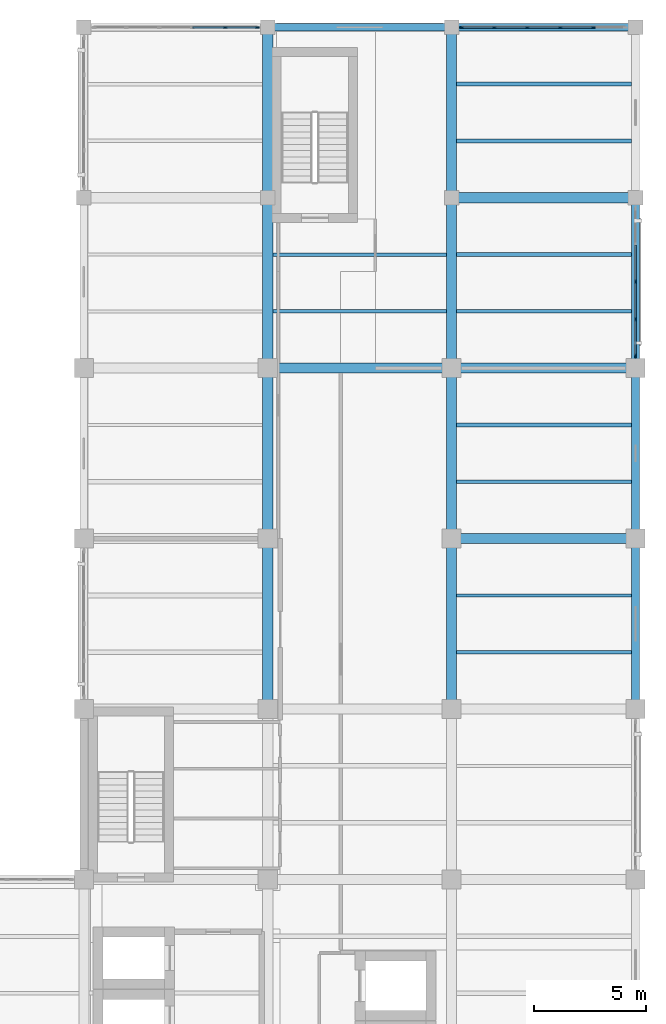
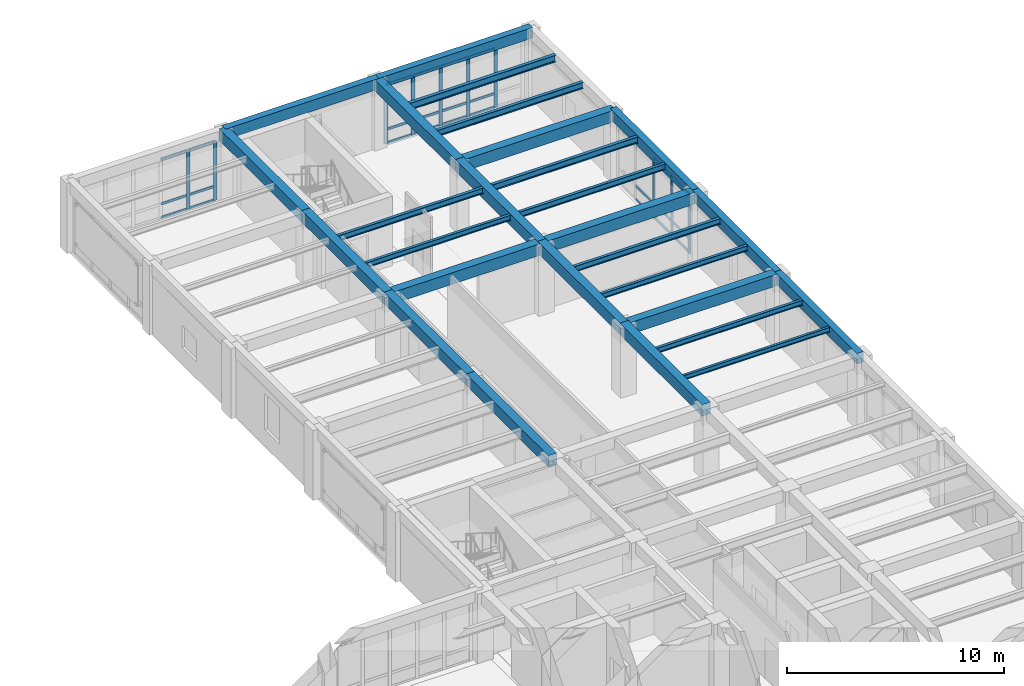
# One storey, part 5 of 17: 36 members, 27 beams, 3 elements without a shape of their own.
"""IFC4 building model written with IfcOpenShell, lengths in metres."""

from ifc_helpers import new_model, si_unit, direction, frame, origin, origin_2d, place, context, subcontext, project, spatial, rectangle, i_section, extrude, material, material_profile, profile_set, type_object, element, aggregate, save


model = new_model("IFC4")

# Units and contexts
model_context = context("Model", 3, precision=1e-05, world=origin(), true_north=direction((0.0, 1.0)))
body_context = subcontext(model_context, "Body", "Model", "MODEL_VIEW")
ifc_project = project(units=[si_unit("LENGTHUNIT", "METRE"), si_unit("AREAUNIT", "SQUARE_METRE"), si_unit("VOLUMEUNIT", "CUBIC_METRE"), si_unit("PLANEANGLEUNIT", "RADIAN"), si_unit("MASSUNIT", "GRAM", prefix="KILO")], contexts=[model_context])

# Site, building, storey
site_placement = place(None, origin())
site = spatial("IfcSite", under=ifc_project, at=site_placement, CompositionType="ELEMENT")
building_placement = place(site_placement, origin())
building = spatial("IfcBuilding", under=site, at=building_placement, Name="Qandaris Square Conservatory and Botanical Centre", CompositionType="ELEMENT")
storey_placement = place(building_placement, frame((0.0, 0.0, 28.199951171875)))
storey = spatial("IfcBuildingStorey", under=building, at=storey_placement, Name="L06", CompositionType="ELEMENT", Elevation=28.199951171875)

# Beams
ifc_material_1 = material(Name="Steel S355", Category="steel")
ifc_material_profile_1 = material_profile(ifc_material_1, i_section(OverallWidth=0.14990234375, OverallDepth=0.300048828125, WebThickness=0.007080078125, FlangeThickness=0.0107421875, FilletRadius=0.014892578125, at=origin_2d()), Name="IPE 300")
ifc_profile_set_1 = profile_set([ifc_material_profile_1], Name="Steel S355")
beam_type_1 = type_object("IfcBeamType", Name="Composite Lab Joist IPE 300", PredefinedType="JOIST", material=ifc_profile_set_1)
beam_1_placement = place(storey_placement, frame((147.625, 64.7333984375, 3.780029296875), z_axis=(1.0, 0.0, 0.0), x_axis=(0.0, 1.0, 0.0)))
element("IfcBeam", 1, at=beam_1_placement, inside=storey, type_object=beam_type_1, Name="L06 Composite Joist 2068", PredefinedType="JOIST", context=body_context, shape_type="SweptSolid", body=[
    extrude(i_section(OverallWidth=0.14990234375, OverallDepth=0.300048828125, WebThickness=0.007080078125, FlangeThickness=0.0107421875, FilletRadius=0.014892578125, at=origin_2d()), origin(), (0.0, 0.0, 1.0), 7.75),
])
for number, where, z_axis, x_axis, name in (
    (2, (155.824951171875, 52.066650390625, 3.780029296875), (1.0, 0.0, 0.0), (0.0, 1.0, 0.0), "L06 Composite Joist 2079"),
    (3, (155.824951171875, 57.13330078125, 3.780029296875), (1.0, 0.0, 0.0), (0.0, 1.0, 0.0), "L06 Composite Joist 2080"),
):
    element("IfcBeam", number, at=place(storey_placement, frame(where, z_axis=z_axis, x_axis=x_axis)), inside=storey, type_object=beam_type_1, Name=name, PredefinedType="JOIST", context=body_context, shape_type="SweptSolid", body=[
        extrude(i_section(OverallWidth=0.14990234375, OverallDepth=0.300048828125, WebThickness=0.007080078125, FlangeThickness=0.0107421875, FilletRadius=0.014892578125, at=origin_2d()), origin(), (0.0, 0.0, 1.0), 7.800048828125),
    ])
ifc_material_profile_2 = material_profile(ifc_material_1, i_section(OverallWidth=0.159912109375, OverallDepth=0.330078125, WebThickness=0.007568359375, FlangeThickness=0.011474609375, FilletRadius=0.01806640625, at=origin_2d()), Name="IPE 330")
ifc_profile_set_2 = profile_set([ifc_material_profile_2], Name="Steel S355")
beam_type_2 = type_object("IfcBeamType", Name="Composite Lab Joist IPE 330", PredefinedType="JOIST", material=ifc_profile_set_2)
beam_2_placement = place(storey_placement, frame((147.625, 67.2666015625, 3.76513671875), z_axis=(1.0, 0.0, 0.0), x_axis=(0.0, 1.0, 0.0)))
element("IfcBeam", 4, at=beam_2_placement, inside=storey, type_object=beam_type_2, Name="L06 Composite Joist 2069", PredefinedType="JOIST", context=body_context, shape_type="SweptSolid", body=[
    extrude(i_section(OverallWidth=0.159912109375, OverallDepth=0.330078125, WebThickness=0.007568359375, FlangeThickness=0.011474609375, FilletRadius=0.01806640625, at=origin_2d()), origin(), (0.0, 0.0, 1.0), 7.75),
])
for number, where, z_axis, x_axis, name in (
    (5, (155.824951171875, 59.666748046875, 3.76513671875), (1.0, 0.0, 0.0), (0.0, 1.0, 0.0), "L06 Composite Joist 2081"),
    (6, (155.824951171875, 64.7333984375, 3.76513671875), (1.0, 0.0, 0.0), (0.0, 1.0, 0.0), "L06 Composite Joist 2082"),
):
    element("IfcBeam", number, at=place(storey_placement, frame(where, z_axis=z_axis, x_axis=x_axis)), inside=storey, type_object=beam_type_2, Name=name, PredefinedType="JOIST", context=body_context, shape_type="SweptSolid", body=[
        extrude(i_section(OverallWidth=0.159912109375, OverallDepth=0.330078125, WebThickness=0.007568359375, FlangeThickness=0.011474609375, FilletRadius=0.01806640625, at=origin_2d()), origin(), (0.0, 0.0, 1.0), 7.800048828125),
    ])
ifc_material_profile_3 = material_profile(ifc_material_1, i_section(OverallWidth=0.169921875, OverallDepth=0.360107421875, WebThickness=0.008056640625, FlangeThickness=0.0126953125, FilletRadius=0.01806640625, at=origin_2d()), Name="IPE 360")
ifc_profile_set_3 = profile_set([ifc_material_profile_3], Name="Steel S355")
beam_type_3 = type_object("IfcBeamType", Name="Composite Lab Joist IPE 360", PredefinedType="JOIST", material=ifc_profile_set_3)
for number, where, z_axis, x_axis, name in (
    (7, (155.824951171875, 67.2666015625, 3.75), (1.0, 0.0, 0.0), (0.0, 1.0, 0.0), "L06 Composite Joist 2083"),
    (8, (155.824951171875, 72.333251953125, 3.75), (1.0, 0.0, 0.0), (0.0, 1.0, 0.0), "L06 Composite Joist 2084"),
):
    element("IfcBeam", number, at=place(storey_placement, frame(where, z_axis=z_axis, x_axis=x_axis)), inside=storey, type_object=beam_type_3, Name=name, PredefinedType="JOIST", context=body_context, shape_type="SweptSolid", body=[
        extrude(i_section(OverallWidth=0.169921875, OverallDepth=0.360107421875, WebThickness=0.008056640625, FlangeThickness=0.0126953125, FilletRadius=0.01806640625, at=origin_2d()), origin(), (0.0, 0.0, 1.0), 7.800048828125),
    ])
ifc_material_profile_4 = material_profile(ifc_material_1, i_section(OverallWidth=0.179931640625, OverallDepth=0.39990234375, WebThickness=0.008544921875, FlangeThickness=0.013427734375, FilletRadius=0.02099609375, at=origin_2d()), Name="IPE 400")
ifc_profile_set_4 = profile_set([ifc_material_profile_4], Name="Steel S355")
beam_type_4 = type_object("IfcBeamType", Name="Composite Plinth Joist IPE 400", PredefinedType="JOIST", material=ifc_profile_set_4)
beam_3_placement = place(storey_placement, frame((155.824951171875, 74.86669921875, 3.72998046875), z_axis=(1.0, 0.0, 0.0), x_axis=(0.0, 1.0, 0.0)))
element("IfcBeam", 9, at=beam_3_placement, inside=storey, type_object=beam_type_4, Name="L06 Composite Joist 2085", PredefinedType="JOIST", context=body_context, shape_type="SweptSolid", body=[
    extrude(i_section(OverallWidth=0.179931640625, OverallDepth=0.39990234375, WebThickness=0.008544921875, FlangeThickness=0.013427734375, FilletRadius=0.02099609375, at=origin_2d()), origin(), (0.0, 0.0, 1.0), 7.800048828125),
])

# Curtain wall, members
ifc_material_2 = material(Name="Anodised Aluminium", Category="aluminium")
curtain_wall_type_1 = type_object("IfcCurtainWallType", Name="Unitised Curtain Wall CW-4-665x334", PredefinedType="USERDEFINED", material=ifc_material_2)
curtain_wall_1_placement = place(storey_placement, origin())
curtain_wall_1 = element("IfcCurtainWall", 10, at=curtain_wall_1_placement, inside=storey, type_object=curtain_wall_type_1, Name="Curtain Wall CW-TWR-L06-2-7", ObjectType="GLAZED CURTAIN WALL", PredefinedType="USERDEFINED")
ifc_material_profile_5 = material_profile(ifc_material_2, rectangle(XDim=0.06494140625, YDim=0.179931640625, at=origin_2d()), Name="ALU-MUL 65x180")
ifc_profile_set_5 = profile_set([ifc_material_profile_5], Name="Anodised Aluminium")
member_type_1 = type_object("IfcMemberType", Name="Curtain Wall Mullion 65x180", PredefinedType="MULLION", material=ifc_profile_set_5)
member_1_placement = place(storey_placement, frame((163.800048828125, 62.757568359375, 0.0), z_axis=(0.0, 0.0, 1.0), x_axis=(-1.0, 0.0, 0.0)))
member_1 = element("IfcMember", 11, at=member_1_placement, type_object=member_type_1, Name="CW-4-665x334 mullion 1", PredefinedType="MULLION", context=body_context, shape_type="SweptSolid", body=[
    extrude(rectangle(XDim=0.06494140625, YDim=0.179931640625, at=origin_2d()), origin(), (0.0, 0.0, 1.0), 3.340087890625),
])
member_2_placement = place(storey_placement, frame((163.800048828125, 64.387451171875, 0.0), z_axis=(0.0, 0.0, 1.0), x_axis=(-1.0, 0.0, 0.0)))
member_2 = element("IfcMember", 12, at=member_2_placement, type_object=member_type_1, Name="CW-4-665x334 mullion 2", PredefinedType="MULLION", context=body_context, shape_type="SweptSolid", body=[
    extrude(rectangle(XDim=0.06494140625, YDim=0.179931640625, at=origin_2d()), origin(), (0.0, 0.0, 1.0), 3.340087890625),
])
member_3_placement = place(storey_placement, frame((163.800048828125, 66.050048828125, 0.0), z_axis=(0.0, 0.0, 1.0), x_axis=(-1.0, 0.0, 0.0)))
member_3 = element("IfcMember", 13, at=member_3_placement, type_object=member_type_1, Name="CW-4-665x334 mullion 3", PredefinedType="MULLION", context=body_context, shape_type="SweptSolid", body=[
    extrude(rectangle(XDim=0.06494140625, YDim=0.179931640625, at=origin_2d()), origin(), (0.0, 0.0, 1.0), 3.340087890625),
])

curtain_wall_type_2 = type_object("IfcCurtainWallType", Name="Unitised Curtain Wall CW-3-735x334", PredefinedType="USERDEFINED", material=ifc_material_2)
curtain_wall_2_placement = place(storey_placement, origin())
curtain_wall_2 = element("IfcCurtainWall", 14, at=curtain_wall_2_placement, inside=storey, type_object=curtain_wall_type_2, Name="Curtain Wall CW-TWR-L06-3-1", ObjectType="GLAZED CURTAIN WALL", PredefinedType="USERDEFINED")
member_4_placement = place(storey_placement, frame((161.905029296875, 77.39990234375, 0.0), z_axis=(0.0, 0.0, 1.0), x_axis=(0.0, -1.0, 0.0)))
member_4 = element("IfcMember", 15, at=member_4_placement, type_object=member_type_1, Name="CW-3-735x334 mullion 2", PredefinedType="MULLION", context=body_context, shape_type="SweptSolid", body=[
    extrude(rectangle(XDim=0.06494140625, YDim=0.179931640625, at=origin_2d()), origin(), (0.0, 0.0, 1.0), 3.340087890625),
])
member_5_placement = place(storey_placement, frame((160.43505859375, 77.39990234375, 0.0), z_axis=(0.0, 0.0, 1.0), x_axis=(0.0, -1.0, 0.0)))
member_5 = element("IfcMember", 16, at=member_5_placement, type_object=member_type_1, Name="CW-3-735x334 mullion 3", PredefinedType="MULLION", context=body_context, shape_type="SweptSolid", body=[
    extrude(rectangle(XDim=0.06494140625, YDim=0.179931640625, at=origin_2d()), origin(), (0.0, 0.0, 1.0), 3.340087890625),
])
member_6_placement = place(storey_placement, frame((158.965087890625, 77.39990234375, 0.0), z_axis=(0.0, 0.0, 1.0), x_axis=(0.0, -1.0, 0.0)))
member_6 = element("IfcMember", 17, at=member_6_placement, type_object=member_type_1, Name="CW-3-735x334 mullion 4", PredefinedType="MULLION", context=body_context, shape_type="SweptSolid", body=[
    extrude(rectangle(XDim=0.06494140625, YDim=0.179931640625, at=origin_2d()), origin(), (0.0, 0.0, 1.0), 3.340087890625),
])
member_7_placement = place(storey_placement, frame((157.4951171875, 77.39990234375, 0.0), z_axis=(0.0, 0.0, 1.0), x_axis=(0.0, -1.0, 0.0)))
member_7 = element("IfcMember", 18, at=member_7_placement, type_object=member_type_1, Name="CW-3-735x334 mullion 5", PredefinedType="MULLION", context=body_context, shape_type="SweptSolid", body=[
    extrude(rectangle(XDim=0.06494140625, YDim=0.179931640625, at=origin_2d()), origin(), (0.0, 0.0, 1.0), 3.340087890625),
])
member_8_placement = place(storey_placement, frame((156.0576171875, 77.39990234375, 0.0), z_axis=(0.0, 0.0, 1.0), x_axis=(0.0, -1.0, 0.0)))
member_8 = element("IfcMember", 19, at=member_8_placement, type_object=member_type_1, Name="CW-3-735x334 mullion 6", PredefinedType="MULLION", context=body_context, shape_type="SweptSolid", body=[
    extrude(rectangle(XDim=0.06494140625, YDim=0.179931640625, at=origin_2d()), origin(), (0.0, 0.0, 1.0), 3.340087890625),
])

curtain_wall_3_placement = place(storey_placement, origin())
curtain_wall_3 = element("IfcCurtainWall", 20, at=curtain_wall_3_placement, inside=storey, type_object=curtain_wall_type_2, Name="Curtain Wall CW-TWR-L06-3-3", ObjectType="GLAZED CURTAIN WALL", PredefinedType="USERDEFINED")
member_9_placement = place(storey_placement, frame((146.9423828125, 77.39990234375, 0.0), z_axis=(0.0, 0.0, 1.0), x_axis=(0.0, -1.0, 0.0)))
member_9 = element("IfcMember", 21, at=member_9_placement, type_object=member_type_1, Name="CW-3-735x334 mullion 1", PredefinedType="MULLION", context=body_context, shape_type="SweptSolid", body=[
    extrude(rectangle(XDim=0.06494140625, YDim=0.179931640625, at=origin_2d()), origin(), (0.0, 0.0, 1.0), 3.340087890625),
])
member_10_placement = place(storey_placement, frame((145.5048828125, 77.39990234375, 0.0), z_axis=(0.0, 0.0, 1.0), x_axis=(0.0, -1.0, 0.0)))
member_10 = element("IfcMember", 22, at=member_10_placement, type_object=member_type_1, Name="CW-3-735x334 mullion 2", PredefinedType="MULLION", context=body_context, shape_type="SweptSolid", body=[
    extrude(rectangle(XDim=0.06494140625, YDim=0.179931640625, at=origin_2d()), origin(), (0.0, 0.0, 1.0), 3.340087890625),
])

# Member
ifc_material_profile_6 = material_profile(ifc_material_2, rectangle(XDim=0.06494140625, YDim=0.139892578125, at=origin_2d()), Name="ALU-TRN 65x140")
ifc_profile_set_6 = profile_set([ifc_material_profile_6], Name="Anodised Aluminium")
member_type_2 = type_object("IfcMemberType", Name="Curtain Wall Transom 65x140", PredefinedType="USERDEFINED", material=ifc_profile_set_6)
member_11_placement = place(storey_placement, frame((163.800048828125, 62.7900390625, 0.032470703125), z_axis=(0.0, 1.0, 0.0), x_axis=(-1.0, 0.0, 0.0)))
member_11 = element("IfcMember", 23, at=member_11_placement, type_object=member_type_2, Name="CW-4-665x334 transom 1.1", ObjectType="TRANSOM", PredefinedType="USERDEFINED", context=body_context, shape_type="SweptSolid", body=[
    extrude(rectangle(XDim=0.06494140625, YDim=0.139892578125, at=origin_2d()), origin(), (0.0, 0.0, 1.0), 1.56494140625),
])

member_12_placement = place(storey_placement, frame((163.800048828125, 62.7900390625, 0.8017578125), z_axis=(0.0, 1.0, 0.0), x_axis=(-1.0, 0.0, 0.0)))
member_12 = element("IfcMember", 24, at=member_12_placement, type_object=member_type_2, Name="CW-4-665x334 transom 1.2", ObjectType="TRANSOM", PredefinedType="USERDEFINED", context=body_context, shape_type="SweptSolid", body=[
    extrude(rectangle(XDim=0.06494140625, YDim=0.139892578125, at=origin_2d()), origin(), (0.0, 0.0, 1.0), 1.56494140625),
])

member_13_placement = place(storey_placement, frame((163.800048828125, 62.7900390625, 3.3076171875), z_axis=(0.0, 1.0, 0.0), x_axis=(-1.0, 0.0, 0.0)))
member_13 = element("IfcMember", 25, at=member_13_placement, type_object=member_type_2, Name="CW-4-665x334 transom 1.3", ObjectType="TRANSOM", PredefinedType="USERDEFINED", context=body_context, shape_type="SweptSolid", body=[
    extrude(rectangle(XDim=0.06494140625, YDim=0.139892578125, at=origin_2d()), origin(), (0.0, 0.0, 1.0), 1.56494140625),
])

member_14_placement = place(storey_placement, frame((163.800048828125, 64.419921875, 0.032470703125), z_axis=(0.0, 1.0, 0.0), x_axis=(-1.0, 0.0, 0.0)))
member_14 = element("IfcMember", 26, at=member_14_placement, type_object=member_type_2, Name="CW-4-665x334 transom 2.1", ObjectType="TRANSOM", PredefinedType="USERDEFINED", context=body_context, shape_type="SweptSolid", body=[
    extrude(rectangle(XDim=0.06494140625, YDim=0.139892578125, at=origin_2d()), origin(), (0.0, 0.0, 1.0), 1.59765625),
])

member_15_placement = place(storey_placement, frame((163.800048828125, 64.419921875, 0.8017578125), z_axis=(0.0, 1.0, 0.0), x_axis=(-1.0, 0.0, 0.0)))
member_15 = element("IfcMember", 27, at=member_15_placement, type_object=member_type_2, Name="CW-4-665x334 transom 2.2", ObjectType="TRANSOM", PredefinedType="USERDEFINED", context=body_context, shape_type="SweptSolid", body=[
    extrude(rectangle(XDim=0.06494140625, YDim=0.139892578125, at=origin_2d()), origin(), (0.0, 0.0, 1.0), 1.59765625),
])

member_16_placement = place(storey_placement, frame((163.800048828125, 64.419921875, 3.3076171875), z_axis=(0.0, 1.0, 0.0), x_axis=(-1.0, 0.0, 0.0)))
member_16 = element("IfcMember", 28, at=member_16_placement, type_object=member_type_2, Name="CW-4-665x334 transom 2.3", ObjectType="TRANSOM", PredefinedType="USERDEFINED", context=body_context, shape_type="SweptSolid", body=[
    extrude(rectangle(XDim=0.06494140625, YDim=0.139892578125, at=origin_2d()), origin(), (0.0, 0.0, 1.0), 1.59765625),
])

member_17_placement = place(storey_placement, frame((163.800048828125, 66.08251953125, 0.032470703125), z_axis=(0.0, 1.0, 0.0), x_axis=(-1.0, 0.0, 0.0)))
member_17 = element("IfcMember", 29, at=member_17_placement, type_object=member_type_2, Name="CW-4-665x334 transom 3.1", ObjectType="TRANSOM", PredefinedType="USERDEFINED", context=body_context, shape_type="SweptSolid", body=[
    extrude(rectangle(XDim=0.06494140625, YDim=0.139892578125, at=origin_2d()), origin(), (0.0, 0.0, 1.0), 1.597412109375),
])

member_18_placement = place(storey_placement, frame((163.800048828125, 66.08251953125, 0.8017578125), z_axis=(0.0, 1.0, 0.0), x_axis=(-1.0, 0.0, 0.0)))
member_18 = element("IfcMember", 30, at=member_18_placement, type_object=member_type_2, Name="CW-4-665x334 transom 3.2", ObjectType="TRANSOM", PredefinedType="USERDEFINED", context=body_context, shape_type="SweptSolid", body=[
    extrude(rectangle(XDim=0.06494140625, YDim=0.139892578125, at=origin_2d()), origin(), (0.0, 0.0, 1.0), 1.597412109375),
])

aggregate(curtain_wall_1, [member_1, member_2, member_3, member_11, member_12, member_13, member_14, member_15, member_16, member_17, member_18])

member_19_placement = place(storey_placement, frame((161.87255859375, 77.39990234375, 0.032470703125), z_axis=(-1.0, 0.0, 0.0), x_axis=(0.0, -1.0, 0.0)))
member_19 = element("IfcMember", 31, at=member_19_placement, type_object=member_type_2, Name="CW-3-735x334 transom 2.1", ObjectType="TRANSOM", PredefinedType="USERDEFINED", context=body_context, shape_type="SweptSolid", body=[
    extrude(rectangle(XDim=0.06494140625, YDim=0.139892578125, at=origin_2d()), origin(), (0.0, 0.0, 1.0), 1.405029296875),
])

member_20_placement = place(storey_placement, frame((161.87255859375, 77.39990234375, 0.8017578125), z_axis=(-1.0, 0.0, 0.0), x_axis=(0.0, -1.0, 0.0)))
member_20 = element("IfcMember", 32, at=member_20_placement, type_object=member_type_2, Name="CW-3-735x334 transom 2.2", ObjectType="TRANSOM", PredefinedType="USERDEFINED", context=body_context, shape_type="SweptSolid", body=[
    extrude(rectangle(XDim=0.06494140625, YDim=0.139892578125, at=origin_2d()), origin(), (0.0, 0.0, 1.0), 1.405029296875),
])

member_21_placement = place(storey_placement, frame((161.87255859375, 77.39990234375, 3.3076171875), z_axis=(-1.0, 0.0, 0.0), x_axis=(0.0, -1.0, 0.0)))
member_21 = element("IfcMember", 33, at=member_21_placement, type_object=member_type_2, Name="CW-3-735x334 transom 2.3", ObjectType="TRANSOM", PredefinedType="USERDEFINED", context=body_context, shape_type="SweptSolid", body=[
    extrude(rectangle(XDim=0.06494140625, YDim=0.139892578125, at=origin_2d()), origin(), (0.0, 0.0, 1.0), 1.405029296875),
])

member_22_placement = place(storey_placement, frame((160.402587890625, 77.39990234375, 0.032470703125), z_axis=(-1.0, 0.0, 0.0), x_axis=(0.0, -1.0, 0.0)))
member_22 = element("IfcMember", 34, at=member_22_placement, type_object=member_type_2, Name="CW-3-735x334 transom 3.1", ObjectType="TRANSOM", PredefinedType="USERDEFINED", context=body_context, shape_type="SweptSolid", body=[
    extrude(rectangle(XDim=0.06494140625, YDim=0.139892578125, at=origin_2d()), origin(), (0.0, 0.0, 1.0), 1.405029296875),
])

member_23_placement = place(storey_placement, frame((160.402587890625, 77.39990234375, 0.8017578125), z_axis=(-1.0, 0.0, 0.0), x_axis=(0.0, -1.0, 0.0)))
member_23 = element("IfcMember", 35, at=member_23_placement, type_object=member_type_2, Name="CW-3-735x334 transom 3.2", ObjectType="TRANSOM", PredefinedType="USERDEFINED", context=body_context, shape_type="SweptSolid", body=[
    extrude(rectangle(XDim=0.06494140625, YDim=0.139892578125, at=origin_2d()), origin(), (0.0, 0.0, 1.0), 1.405029296875),
])

member_24_placement = place(storey_placement, frame((160.402587890625, 77.39990234375, 3.3076171875), z_axis=(-1.0, 0.0, 0.0), x_axis=(0.0, -1.0, 0.0)))
member_24 = element("IfcMember", 36, at=member_24_placement, type_object=member_type_2, Name="CW-3-735x334 transom 3.3", ObjectType="TRANSOM", PredefinedType="USERDEFINED", context=body_context, shape_type="SweptSolid", body=[
    extrude(rectangle(XDim=0.06494140625, YDim=0.139892578125, at=origin_2d()), origin(), (0.0, 0.0, 1.0), 1.405029296875),
])

member_25_placement = place(storey_placement, frame((158.9326171875, 77.39990234375, 0.032470703125), z_axis=(-1.0, 0.0, 0.0), x_axis=(0.0, -1.0, 0.0)))
member_25 = element("IfcMember", 37, at=member_25_placement, type_object=member_type_2, Name="CW-3-735x334 transom 4.1", ObjectType="TRANSOM", PredefinedType="USERDEFINED", context=body_context, shape_type="SweptSolid", body=[
    extrude(rectangle(XDim=0.06494140625, YDim=0.139892578125, at=origin_2d()), origin(), (0.0, 0.0, 1.0), 1.405029296875),
])

member_26_placement = place(storey_placement, frame((158.9326171875, 77.39990234375, 0.8017578125), z_axis=(-1.0, 0.0, 0.0), x_axis=(0.0, -1.0, 0.0)))
member_26 = element("IfcMember", 38, at=member_26_placement, type_object=member_type_2, Name="CW-3-735x334 transom 4.2", ObjectType="TRANSOM", PredefinedType="USERDEFINED", context=body_context, shape_type="SweptSolid", body=[
    extrude(rectangle(XDim=0.06494140625, YDim=0.139892578125, at=origin_2d()), origin(), (0.0, 0.0, 1.0), 1.405029296875),
])

member_27_placement = place(storey_placement, frame((158.9326171875, 77.39990234375, 3.3076171875), z_axis=(-1.0, 0.0, 0.0), x_axis=(0.0, -1.0, 0.0)))
member_27 = element("IfcMember", 39, at=member_27_placement, type_object=member_type_2, Name="CW-3-735x334 transom 4.3", ObjectType="TRANSOM", PredefinedType="USERDEFINED", context=body_context, shape_type="SweptSolid", body=[
    extrude(rectangle(XDim=0.06494140625, YDim=0.139892578125, at=origin_2d()), origin(), (0.0, 0.0, 1.0), 1.405029296875),
])

member_28_placement = place(storey_placement, frame((157.46240234375, 77.39990234375, 0.032470703125), z_axis=(-1.0, 0.0, 0.0), x_axis=(0.0, -1.0, 0.0)))
member_28 = element("IfcMember", 40, at=member_28_placement, type_object=member_type_2, Name="CW-3-735x334 transom 5.1", ObjectType="TRANSOM", PredefinedType="USERDEFINED", context=body_context, shape_type="SweptSolid", body=[
    extrude(rectangle(XDim=0.06494140625, YDim=0.139892578125, at=origin_2d()), origin(), (0.0, 0.0, 1.0), 1.372314453125),
])

member_29_placement = place(storey_placement, frame((157.46240234375, 77.39990234375, 0.8017578125), z_axis=(-1.0, 0.0, 0.0), x_axis=(0.0, -1.0, 0.0)))
member_29 = element("IfcMember", 41, at=member_29_placement, type_object=member_type_2, Name="CW-3-735x334 transom 5.2", ObjectType="TRANSOM", PredefinedType="USERDEFINED", context=body_context, shape_type="SweptSolid", body=[
    extrude(rectangle(XDim=0.06494140625, YDim=0.139892578125, at=origin_2d()), origin(), (0.0, 0.0, 1.0), 1.372314453125),
])

member_30_placement = place(storey_placement, frame((157.46240234375, 77.39990234375, 3.3076171875), z_axis=(-1.0, 0.0, 0.0), x_axis=(0.0, -1.0, 0.0)))
member_30 = element("IfcMember", 42, at=member_30_placement, type_object=member_type_2, Name="CW-3-735x334 transom 5.3", ObjectType="TRANSOM", PredefinedType="USERDEFINED", context=body_context, shape_type="SweptSolid", body=[
    extrude(rectangle(XDim=0.06494140625, YDim=0.139892578125, at=origin_2d()), origin(), (0.0, 0.0, 1.0), 1.372314453125),
])

aggregate(curtain_wall_2, [member_4, member_5, member_6, member_7, member_8, member_19, member_20, member_21, member_22, member_23, member_24, member_25, member_26, member_27, member_28, member_29, member_30])

member_31_placement = place(storey_placement, frame((146.909912109375, 77.39990234375, 0.032470703125), z_axis=(-1.0, 0.0, 0.0), x_axis=(0.0, -1.0, 0.0)))
member_31 = element("IfcMember", 43, at=member_31_placement, type_object=member_type_2, Name="CW-3-735x334 transom 1.1", ObjectType="TRANSOM", PredefinedType="USERDEFINED", context=body_context, shape_type="SweptSolid", body=[
    extrude(rectangle(XDim=0.06494140625, YDim=0.139892578125, at=origin_2d()), origin(), (0.0, 0.0, 1.0), 1.372314453125),
])

member_32_placement = place(storey_placement, frame((146.909912109375, 77.39990234375, 0.8017578125), z_axis=(-1.0, 0.0, 0.0), x_axis=(0.0, -1.0, 0.0)))
member_32 = element("IfcMember", 44, at=member_32_placement, type_object=member_type_2, Name="CW-3-735x334 transom 1.2", ObjectType="TRANSOM", PredefinedType="USERDEFINED", context=body_context, shape_type="SweptSolid", body=[
    extrude(rectangle(XDim=0.06494140625, YDim=0.139892578125, at=origin_2d()), origin(), (0.0, 0.0, 1.0), 1.372314453125),
])

member_33_placement = place(storey_placement, frame((146.909912109375, 77.39990234375, 3.3076171875), z_axis=(-1.0, 0.0, 0.0), x_axis=(0.0, -1.0, 0.0)))
member_33 = element("IfcMember", 45, at=member_33_placement, type_object=member_type_2, Name="CW-3-735x334 transom 1.3", ObjectType="TRANSOM", PredefinedType="USERDEFINED", context=body_context, shape_type="SweptSolid", body=[
    extrude(rectangle(XDim=0.06494140625, YDim=0.139892578125, at=origin_2d()), origin(), (0.0, 0.0, 1.0), 1.372314453125),
])

member_34_placement = place(storey_placement, frame((145.472412109375, 77.39990234375, 0.032470703125), z_axis=(-1.0, 0.0, 0.0), x_axis=(0.0, -1.0, 0.0)))
member_34 = element("IfcMember", 46, at=member_34_placement, type_object=member_type_2, Name="CW-3-735x334 transom 2.1", ObjectType="TRANSOM", PredefinedType="USERDEFINED", context=body_context, shape_type="SweptSolid", body=[
    extrude(rectangle(XDim=0.06494140625, YDim=0.139892578125, at=origin_2d()), origin(), (0.0, 0.0, 1.0), 1.405029296875),
])

member_35_placement = place(storey_placement, frame((145.472412109375, 77.39990234375, 0.8017578125), z_axis=(-1.0, 0.0, 0.0), x_axis=(0.0, -1.0, 0.0)))
member_35 = element("IfcMember", 47, at=member_35_placement, type_object=member_type_2, Name="CW-3-735x334 transom 2.2", ObjectType="TRANSOM", PredefinedType="USERDEFINED", context=body_context, shape_type="SweptSolid", body=[
    extrude(rectangle(XDim=0.06494140625, YDim=0.139892578125, at=origin_2d()), origin(), (0.0, 0.0, 1.0), 1.405029296875),
])

member_36_placement = place(storey_placement, frame((145.472412109375, 77.39990234375, 3.3076171875), z_axis=(-1.0, 0.0, 0.0), x_axis=(0.0, -1.0, 0.0)))
member_36 = element("IfcMember", 48, at=member_36_placement, type_object=member_type_2, Name="CW-3-735x334 transom 2.3", ObjectType="TRANSOM", PredefinedType="USERDEFINED", context=body_context, shape_type="SweptSolid", body=[
    extrude(rectangle(XDim=0.06494140625, YDim=0.139892578125, at=origin_2d()), origin(), (0.0, 0.0, 1.0), 1.405029296875),
])

aggregate(curtain_wall_3, [member_9, member_10, member_31, member_32, member_33, member_34, member_35, member_36])

# Beams
ifc_material_3 = material(Name="Concrete C50/60", Category="concrete")
ifc_material_profile_7 = material_profile(ifc_material_3, rectangle(XDim=0.35009765625, YDim=0.60009765625, at=origin_2d()), Name="RC-SP 350x600")
ifc_profile_set_7 = profile_set([ifc_material_profile_7], Name="Concrete C50/60")
beam_type_5 = type_object("IfcBeamType", Name="RC Edge Spandrel Beam 350x600", PredefinedType="SPANDREL", material=ifc_profile_set_7)
beam_4_placement = place(storey_placement, frame((147.39990234375, 77.39990234375, 3.64013671875), z_axis=(1.0, 0.0, 0.0), x_axis=(0.0, 1.0, 0.0)))
element("IfcBeam", 49, at=beam_4_placement, inside=storey, type_object=beam_type_5, Name="L06 Frame Beam 1991", PredefinedType="SPANDREL", context=body_context, shape_type="SweptSolid", body=[
    extrude(rectangle(XDim=0.35009765625, YDim=0.60009765625, at=origin_2d()), origin(), (0.0, 0.0, 1.0), 8.2001953125),
])
beam_5_placement = place(storey_placement, frame((155.60009765625, 77.39990234375, 3.64013671875), z_axis=(1.0, 0.0, 0.0), x_axis=(0.0, 1.0, 0.0)))
element("IfcBeam", 50, at=beam_5_placement, inside=storey, type_object=beam_type_5, Name="L06 Frame Beam 1992", PredefinedType="SPANDREL", context=body_context, shape_type="SweptSolid", body=[
    extrude(rectangle(XDim=0.35009765625, YDim=0.60009765625, at=origin_2d()), origin(), (0.0, 0.0, 1.0), 8.199951171875),
])
beam_6_placement = place(storey_placement, frame((163.800048828125, 47.0, 3.64013671875), z_axis=(0.0, 1.0, 0.0), x_axis=(-1.0, 0.0, 0.0)))
element("IfcBeam", 51, at=beam_6_placement, inside=storey, type_object=beam_type_5, Name="L06 Frame Beam 2030", PredefinedType="SPANDREL", context=body_context, shape_type="SweptSolid", body=[
    extrude(rectangle(XDim=0.35009765625, YDim=0.60009765625, at=origin_2d()), origin(), (0.0, 0.0, 1.0), 7.60009765625),
])
beam_7_placement = place(storey_placement, frame((163.800048828125, 54.60009765625, 3.64013671875), z_axis=(0.0, 1.0, 0.0), x_axis=(-1.0, 0.0, 0.0)))
element("IfcBeam", 52, at=beam_7_placement, inside=storey, type_object=beam_type_5, Name="L06 Frame Beam 2031", PredefinedType="SPANDREL", context=body_context, shape_type="SweptSolid", body=[
    extrude(rectangle(XDim=0.35009765625, YDim=0.60009765625, at=origin_2d()), origin(), (0.0, 0.0, 1.0), 7.599853515625),
])
beam_8_placement = place(storey_placement, frame((163.800048828125, 62.199951171875, 3.64013671875), z_axis=(0.0, 1.0, 0.0), x_axis=(-1.0, 0.0, 0.0)))
element("IfcBeam", 53, at=beam_8_placement, inside=storey, type_object=beam_type_5, Name="L06 Frame Beam 2032", PredefinedType="SPANDREL", context=body_context, shape_type="SweptSolid", body=[
    extrude(rectangle(XDim=0.35009765625, YDim=0.60009765625, at=origin_2d()), origin(), (0.0, 0.0, 1.0), 7.60009765625),
])
ifc_material_profile_8 = material_profile(ifc_material_3, rectangle(XDim=0.449951171875, YDim=0.64990234375, at=origin_2d()), Name="RC-BM 450x650")
ifc_profile_set_8 = profile_set([ifc_material_profile_8], Name="Concrete C50/60")
beam_type_6 = type_object("IfcBeamType", Name="RC Floor Girder 450x650", PredefinedType="BEAM", material=ifc_profile_set_8)
beam_9_placement = place(storey_placement, frame((155.60009765625, 54.60009765625, 3.614990234375), z_axis=(1.0, 0.0, 0.0), x_axis=(0.0, 1.0, 0.0)))
element("IfcBeam", 54, at=beam_9_placement, inside=storey, type_object=beam_type_6, Name="L06 Frame Beam 1984", PredefinedType="BEAM", context=body_context, shape_type="SweptSolid", body=[
    extrude(rectangle(XDim=0.449951171875, YDim=0.64990234375, at=origin_2d()), origin(), (0.0, 0.0, 1.0), 8.199951171875),
])
beam_10_placement = place(storey_placement, frame((147.39990234375, 62.199951171875, 3.614990234375), z_axis=(1.0, 0.0, 0.0), x_axis=(0.0, 1.0, 0.0)))
element("IfcBeam", 55, at=beam_10_placement, inside=storey, type_object=beam_type_6, Name="L06 Frame Beam 1986", PredefinedType="BEAM", context=body_context, shape_type="SweptSolid", body=[
    extrude(rectangle(XDim=0.449951171875, YDim=0.64990234375, at=origin_2d()), origin(), (0.0, 0.0, 1.0), 8.2001953125),
])
for number, where, z_axis, x_axis, name in (
    (56, (155.60009765625, 62.199951171875, 3.614990234375), (1.0, 0.0, 0.0), (0.0, 1.0, 0.0), "L06 Frame Beam 1987"),
    (57, (155.60009765625, 69.800048828125, 3.614990234375), (1.0, 0.0, 0.0), (0.0, 1.0, 0.0), "L06 Frame Beam 1989"),
):
    element("IfcBeam", number, at=place(storey_placement, frame(where, z_axis=z_axis, x_axis=x_axis)), inside=storey, type_object=beam_type_6, Name=name, PredefinedType="BEAM", context=body_context, shape_type="SweptSolid", body=[
        extrude(rectangle(XDim=0.449951171875, YDim=0.64990234375, at=origin_2d()), origin(), (0.0, 0.0, 1.0), 8.199951171875),
    ])
beam_11_placement = place(storey_placement, frame((147.39990234375, 47.0, 3.614990234375), z_axis=(0.0, 1.0, 0.0), x_axis=(-1.0, 0.0, 0.0)))
element("IfcBeam", 58, at=beam_11_placement, inside=storey, type_object=beam_type_6, Name="L06 Frame Beam 2014", PredefinedType="BEAM", context=body_context, shape_type="SweptSolid", body=[
    extrude(rectangle(XDim=0.449951171875, YDim=0.64990234375, at=origin_2d()), origin(), (0.0, 0.0, 1.0), 7.60009765625),
])
beam_12_placement = place(storey_placement, frame((147.39990234375, 54.60009765625, 3.614990234375), z_axis=(0.0, 1.0, 0.0), x_axis=(-1.0, 0.0, 0.0)))
element("IfcBeam", 59, at=beam_12_placement, inside=storey, type_object=beam_type_6, Name="L06 Frame Beam 2015", PredefinedType="BEAM", context=body_context, shape_type="SweptSolid", body=[
    extrude(rectangle(XDim=0.449951171875, YDim=0.64990234375, at=origin_2d()), origin(), (0.0, 0.0, 1.0), 7.599853515625),
])
beam_13_placement = place(storey_placement, frame((147.39990234375, 62.199951171875, 3.614990234375), z_axis=(0.0, 1.0, 0.0), x_axis=(-1.0, 0.0, 0.0)))
element("IfcBeam", 60, at=beam_13_placement, inside=storey, type_object=beam_type_6, Name="L06 Frame Beam 2016", PredefinedType="BEAM", context=body_context, shape_type="SweptSolid", body=[
    extrude(rectangle(XDim=0.449951171875, YDim=0.64990234375, at=origin_2d()), origin(), (0.0, 0.0, 1.0), 7.60009765625),
])
beam_14_placement = place(storey_placement, frame((147.39990234375, 69.800048828125, 3.614990234375), z_axis=(0.0, 1.0, 0.0), x_axis=(-1.0, 0.0, 0.0)))
element("IfcBeam", 61, at=beam_14_placement, inside=storey, type_object=beam_type_6, Name="L06 Frame Beam 2017", PredefinedType="BEAM", context=body_context, shape_type="SweptSolid", body=[
    extrude(rectangle(XDim=0.449951171875, YDim=0.64990234375, at=origin_2d()), origin(), (0.0, 0.0, 1.0), 7.599853515625),
])
beam_15_placement = place(storey_placement, frame((155.60009765625, 47.0, 3.614990234375), z_axis=(0.0, 1.0, 0.0), x_axis=(-1.0, 0.0, 0.0)))
element("IfcBeam", 62, at=beam_15_placement, inside=storey, type_object=beam_type_6, Name="L06 Frame Beam 2022", PredefinedType="BEAM", context=body_context, shape_type="SweptSolid", body=[
    extrude(rectangle(XDim=0.449951171875, YDim=0.64990234375, at=origin_2d()), origin(), (0.0, 0.0, 1.0), 7.60009765625),
])
beam_16_placement = place(storey_placement, frame((155.60009765625, 54.60009765625, 3.614990234375), z_axis=(0.0, 1.0, 0.0), x_axis=(-1.0, 0.0, 0.0)))
element("IfcBeam", 63, at=beam_16_placement, inside=storey, type_object=beam_type_6, Name="L06 Frame Beam 2023", PredefinedType="BEAM", context=body_context, shape_type="SweptSolid", body=[
    extrude(rectangle(XDim=0.449951171875, YDim=0.64990234375, at=origin_2d()), origin(), (0.0, 0.0, 1.0), 7.599853515625),
])
beam_17_placement = place(storey_placement, frame((155.60009765625, 62.199951171875, 3.614990234375), z_axis=(0.0, 1.0, 0.0), x_axis=(-1.0, 0.0, 0.0)))
element("IfcBeam", 64, at=beam_17_placement, inside=storey, type_object=beam_type_6, Name="L06 Frame Beam 2024", PredefinedType="BEAM", context=body_context, shape_type="SweptSolid", body=[
    extrude(rectangle(XDim=0.449951171875, YDim=0.64990234375, at=origin_2d()), origin(), (0.0, 0.0, 1.0), 7.60009765625),
])
beam_18_placement = place(storey_placement, frame((155.60009765625, 69.800048828125, 3.614990234375), z_axis=(0.0, 1.0, 0.0), x_axis=(-1.0, 0.0, 0.0)))
element("IfcBeam", 65, at=beam_18_placement, inside=storey, type_object=beam_type_6, Name="L06 Frame Beam 2025", PredefinedType="BEAM", context=body_context, shape_type="SweptSolid", body=[
    extrude(rectangle(XDim=0.449951171875, YDim=0.64990234375, at=origin_2d()), origin(), (0.0, 0.0, 1.0), 7.599853515625),
])
ifc_material_profile_9 = material_profile(ifc_material_1, i_section(OverallWidth=0.135009765625, OverallDepth=0.27001953125, WebThickness=0.006591796875, FlangeThickness=0.01025390625, FilletRadius=0.014892578125, at=origin_2d()), Name="IPE 270")
ifc_profile_set_9 = profile_set([ifc_material_profile_9], Name="Steel S355")
beam_type_7 = type_object("IfcBeamType", Name="Steel Floor Joist IPE 270", PredefinedType="JOIST", material=ifc_profile_set_9)
beam_19_placement = place(storey_placement, frame((155.824951171875, 49.533203125, 3.795166015625), z_axis=(1.0, 0.0, 0.0), x_axis=(0.0, 1.0, 0.0)))
element("IfcBeam", 66, at=beam_19_placement, inside=storey, type_object=beam_type_7, Name="L06 Composite Joist 2078", PredefinedType="JOIST", context=body_context, shape_type="SweptSolid", body=[
    extrude(i_section(OverallWidth=0.135009765625, OverallDepth=0.27001953125, WebThickness=0.006591796875, FlangeThickness=0.01025390625, FilletRadius=0.014892578125, at=origin_2d()), origin(), (0.0, 0.0, 1.0), 7.800048828125),
])

save(model, "model.ifc")
